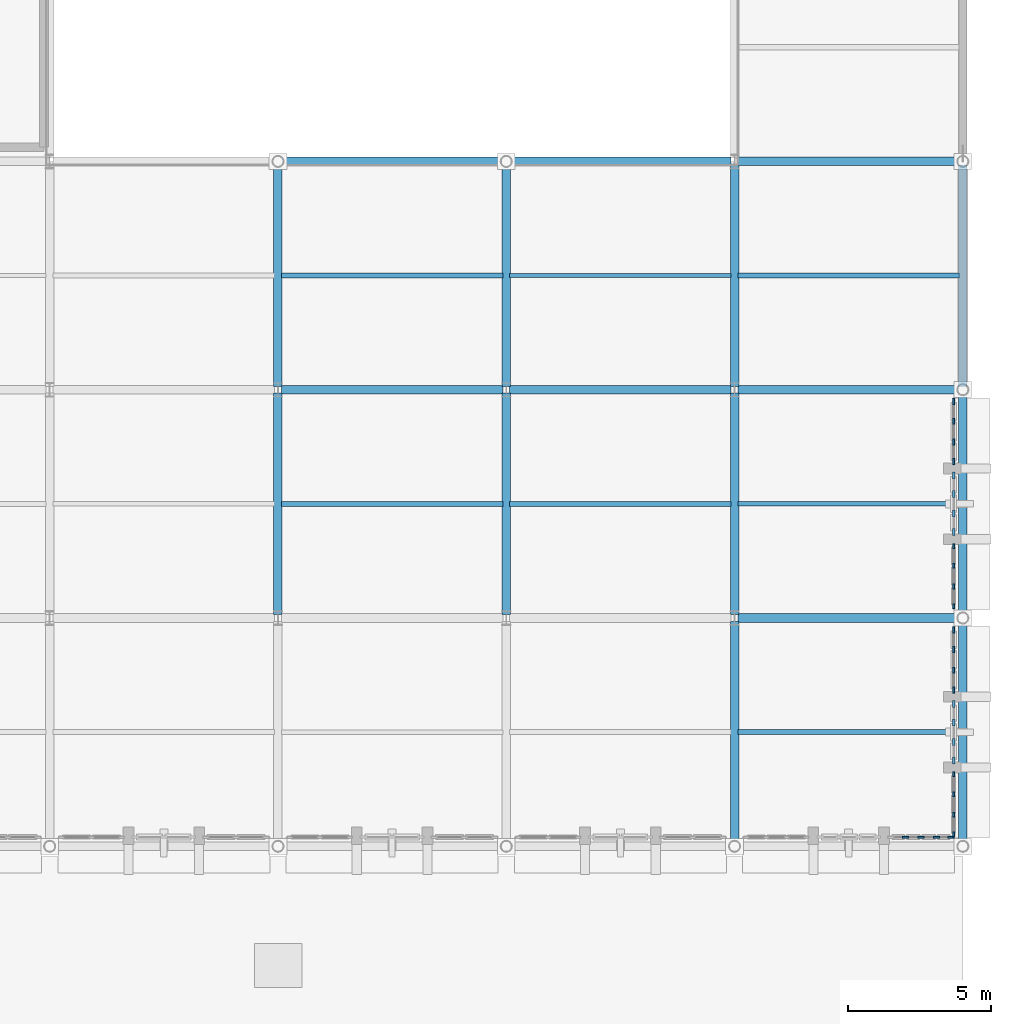
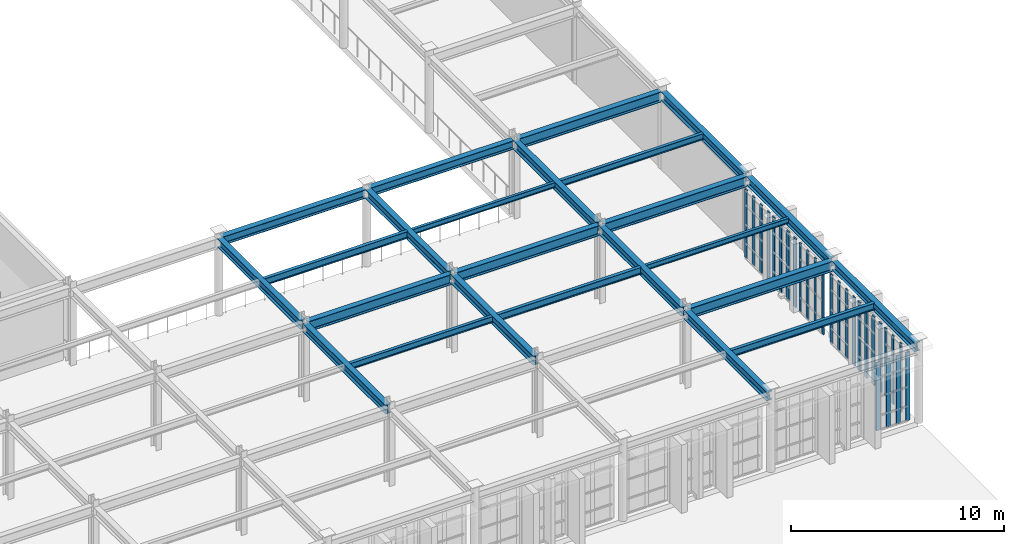
# One storey, part 38 of 155: 28 members, 24 beams, 7 elements without a shape of their own.
"""IFC4 building model written with IfcOpenShell, lengths in metres."""

from ifc_helpers import new_model, si_unit, direction, frame, origin, origin_2d, place, context, subcontext, project, spatial, rectangle, i_section, extrude, material, layer, layer_set, material_profile, profile_set, type_object, element, aggregate, save


model = new_model("IFC4")

# Units and contexts
model_context = context("Model", 3, precision=1e-05, world=origin(), true_north=direction((0.0, 1.0)))
body_context = subcontext(model_context, "Body", "Model", "MODEL_VIEW")
ifc_project = project(units=[si_unit("LENGTHUNIT", "METRE"), si_unit("AREAUNIT", "SQUARE_METRE"), si_unit("VOLUMEUNIT", "CUBIC_METRE"), si_unit("PLANEANGLEUNIT", "RADIAN"), si_unit("MASSUNIT", "GRAM", prefix="KILO")], contexts=[model_context])

# Site, building, storey
site_placement = place(None, origin())
site = spatial("IfcSite", under=ifc_project, at=site_placement, CompositionType="ELEMENT")
building_placement = place(site_placement, origin())
building = spatial("IfcBuilding", under=site, at=building_placement, Name="Tazarka Park Arena", CompositionType="ELEMENT")
storey_placement = place(building_placement, frame((0.0, 0.0, 5.39990234375)))
storey = spatial("IfcBuildingStorey", under=building, at=storey_placement, Name="L01", CompositionType="ELEMENT", Elevation=5.39990234375)

# Beams
ifc_material_1 = material(Name="Steel S355", Category="steel")
ifc_material_profile_1 = material_profile(ifc_material_1, i_section(OverallWidth=0.300048828125, OverallDepth=0.590087890625, WebThickness=0.012939453125, FlangeThickness=0.02490234375, FilletRadius=0.027099609375, at=origin_2d()), Name="Steel S355")
ifc_profile_set_1 = profile_set([ifc_material_profile_1], Name="Steel S355")
beam_type_1 = type_object("IfcBeamType", Name="BM-B-07", PredefinedType="BEAM", material=ifc_profile_set_1)
for number, where, z_axis, x_axis, name in (
    (1, (160.1201171875, 56.0, 4.125), (1.0, 0.0, 0.0), (0.0, 1.0, 0.0), "GXM-L01-20-07"),
    (2, (168.1201171875, 56.0, 4.125), (1.0, 0.0, 0.0), (0.0, 1.0, 0.0), "GXM-L01-21-07"),
    (3, (176.1201171875, 48.0, 4.125), (1.0, 0.0, 0.0), (0.0, 1.0, 0.0), "GXM-L01-22-06"),
    (4, (176.1201171875, 56.0, 4.125), (1.0, 0.0, 0.0), (0.0, 1.0, 0.0), "GXM-L01-22-07"),
    (5, (176.1201171875, 64.0, 4.125), (1.0, 0.0, 0.0), (0.0, 1.0, 0.0), "GXM-L01-22-08"),
):
    element("IfcBeam", number, at=place(storey_placement, frame(where, z_axis=z_axis, x_axis=x_axis)), inside=storey, type_object=beam_type_1, Name=name, PredefinedType="BEAM", context=body_context, shape_type="SweptSolid", body=[
        extrude(i_section(OverallWidth=0.300048828125, OverallDepth=0.590087890625, WebThickness=0.012939453125, FlangeThickness=0.02490234375, FilletRadius=0.027099609375, at=origin_2d()), origin(), (0.0, 0.0, 1.0), 7.759765625),
    ])
ifc_material_2 = material(Name="Steel S355", Category="steel")
ifc_material_profile_2 = material_profile(ifc_material_2, i_section(OverallWidth=0.300048828125, OverallDepth=0.5, WebThickness=0.014404296875, FlangeThickness=0.028076171875, FilletRadius=0.027099609375, at=origin_2d()), Name="Steel S355")
ifc_profile_set_2 = profile_set([ifc_material_profile_2], Name="Steel S355")
beam_type_2 = type_object("IfcBeamType", Name="BM-B-08", PredefinedType="BEAM", material=ifc_profile_set_2)
for number, where, z_axis, x_axis, name in (
    (6, (160.0, 48.1201171875, 4.170166015625), (0.0, 1.0, 0.0), (-1.0, 0.0, 0.0), "GYM-L01-20-06"),
    (7, (160.0, 56.1201171875, 4.170166015625), (0.0, 1.0, 0.0), (-1.0, 0.0, 0.0), "GYM-L01-20-07"),
    (8, (168.0, 48.1201171875, 4.170166015625), (0.0, 1.0, 0.0), (-1.0, 0.0, 0.0), "GYM-L01-21-06"),
    (9, (168.0, 56.1201171875, 4.170166015625), (0.0, 1.0, 0.0), (-1.0, 0.0, 0.0), "GYM-L01-21-07"),
    (10, (176.0, 40.1201171875, 4.170166015625), (0.0, 1.0, 0.0), (-1.0, 0.0, 0.0), "GYM-L01-22-05"),
    (11, (176.0, 48.1201171875, 4.170166015625), (0.0, 1.0, 0.0), (-1.0, 0.0, 0.0), "GYM-L01-22-06"),
    (12, (176.0, 56.1201171875, 4.170166015625), (0.0, 1.0, 0.0), (-1.0, 0.0, 0.0), "GYM-L01-22-07"),
):
    element("IfcBeam", number, at=place(storey_placement, frame(where, z_axis=z_axis, x_axis=x_axis)), inside=storey, type_object=beam_type_2, Name=name, PredefinedType="BEAM", context=body_context, shape_type="SweptSolid", body=[
        extrude(i_section(OverallWidth=0.300048828125, OverallDepth=0.5, WebThickness=0.014404296875, FlangeThickness=0.028076171875, FilletRadius=0.027099609375, at=origin_2d()), origin(), (0.0, 0.0, 1.0), 7.759765625),
    ])
ifc_material_3 = material(Name="Steel S355", Category="steel")
ifc_material_profile_3 = material_profile(ifc_material_3, i_section(OverallWidth=0.14990234375, OverallDepth=0.300048828125, WebThickness=0.007080078125, FlangeThickness=0.0107421875, FilletRadius=0.014892578125, at=origin_2d()), Name="Steel S355")
ifc_profile_set_3 = profile_set([ifc_material_profile_3], Name="Steel S355")
beam_type_3 = type_object("IfcBeamType", Name="BM-J-01", PredefinedType="JOIST", material=ifc_profile_set_3)
for number, where, z_axis, x_axis, name in (
    (13, (168.1201171875, 60.0, 4.27001953125), (1.0, 0.0, 0.0), (0.0, 1.0, 0.0), "JST-L01-21-07"),
    (14, (176.1201171875, 52.0, 4.27001953125), (1.0, 0.0, 0.0), (0.0, 1.0, 0.0), "JST-L01-22-06"),
):
    element("IfcBeam", number, at=place(storey_placement, frame(where, z_axis=z_axis, x_axis=x_axis)), inside=storey, type_object=beam_type_3, Name=name, PredefinedType="JOIST", context=body_context, shape_type="SweptSolid", body=[
        extrude(i_section(OverallWidth=0.14990234375, OverallDepth=0.300048828125, WebThickness=0.007080078125, FlangeThickness=0.0107421875, FilletRadius=0.014892578125, at=origin_2d()), origin(), (0.0, 0.0, 1.0), 7.759765625),
    ])
ifc_material_4 = material(Name="Steel S355", Category="steel")
ifc_material_profile_4 = material_profile(ifc_material_4, i_section(OverallWidth=0.169921875, OverallDepth=0.360107421875, WebThickness=0.008056640625, FlangeThickness=0.0126953125, FilletRadius=0.01806640625, at=origin_2d()), Name="Steel S355")
ifc_profile_set_4 = profile_set([ifc_material_profile_4], Name="Steel S355")
beam_type_4 = type_object("IfcBeamType", Name="BM-J-02", PredefinedType="JOIST", material=ifc_profile_set_4)
for number, where, z_axis, x_axis, name in (
    (15, (160.1201171875, 52.0, 4.239990234375), (1.0, 0.0, 0.0), (0.0, 1.0, 0.0), "JST-L01-20-06"),
    (16, (176.1201171875, 60.0, 4.239990234375), (1.0, 0.0, 0.0), (0.0, 1.0, 0.0), "JST-L01-22-07"),
):
    element("IfcBeam", number, at=place(storey_placement, frame(where, z_axis=z_axis, x_axis=x_axis)), inside=storey, type_object=beam_type_4, Name=name, PredefinedType="JOIST", context=body_context, shape_type="SweptSolid", body=[
        extrude(i_section(OverallWidth=0.169921875, OverallDepth=0.360107421875, WebThickness=0.008056640625, FlangeThickness=0.0126953125, FilletRadius=0.01806640625, at=origin_2d()), origin(), (0.0, 0.0, 1.0), 7.759765625),
    ])
ifc_material_5 = material(Name="Steel S355", Category="steel")
ifc_material_profile_5 = material_profile(ifc_material_5, i_section(OverallWidth=0.179931640625, OverallDepth=0.39990234375, WebThickness=0.008544921875, FlangeThickness=0.013427734375, FilletRadius=0.02099609375, at=origin_2d()), Name="Steel S355")
ifc_profile_set_5 = profile_set([ifc_material_profile_5], Name="Steel S355")
beam_type_5 = type_object("IfcBeamType", Name="BM-J-03", PredefinedType="JOIST", material=ifc_profile_set_5)
for number, where, z_axis, x_axis, name in (
    (17, (160.1201171875, 60.0, 4.22021484375), (1.0, 0.0, 0.0), (0.0, 1.0, 0.0), "JST-L01-20-07"),
    (18, (168.1201171875, 52.0, 4.22021484375), (1.0, 0.0, 0.0), (0.0, 1.0, 0.0), "JST-L01-21-06"),
    (19, (176.1201171875, 44.0, 4.22021484375), (1.0, 0.0, 0.0), (0.0, 1.0, 0.0), "JST-L01-22-05"),
):
    element("IfcBeam", number, at=place(storey_placement, frame(where, z_axis=z_axis, x_axis=x_axis)), inside=storey, type_object=beam_type_5, Name=name, PredefinedType="JOIST", context=body_context, shape_type="SweptSolid", body=[
        extrude(i_section(OverallWidth=0.179931640625, OverallDepth=0.39990234375, WebThickness=0.008544921875, FlangeThickness=0.013427734375, FilletRadius=0.02099609375, at=origin_2d()), origin(), (0.0, 0.0, 1.0), 7.759765625),
    ])
ifc_material_6 = material(Name="Steel S355", Category="steel")
ifc_material_profile_6 = material_profile(ifc_material_6, i_section(OverallWidth=0.300048828125, OverallDepth=0.489990234375, WebThickness=0.011962890625, FlangeThickness=0.02294921875, FilletRadius=0.027099609375, at=origin_2d()), Name="Steel S355")
ifc_profile_set_6 = profile_set([ifc_material_profile_6], Name="Steel S355")
beam_type_6 = type_object("IfcBeamType", Name="BM-SP-02", PredefinedType="SPANDREL", material=ifc_profile_set_6)
for number, where, z_axis, x_axis, name in (
    (20, (160.1201171875, 64.0, 4.175048828125), (1.0, 0.0, 0.0), (0.0, 1.0, 0.0), "GXM-L01-20-08"),
    (21, (168.1201171875, 64.0, 4.175048828125), (1.0, 0.0, 0.0), (0.0, 1.0, 0.0), "GXM-L01-21-08"),
    (22, (184.0, 40.1201171875, 4.175048828125), (0.0, 1.0, 0.0), (-1.0, 0.0, 0.0), "GYM-L01-23-05"),
    (23, (184.0, 48.1201171875, 4.175048828125), (0.0, 1.0, 0.0), (-1.0, 0.0, 0.0), "GYM-L01-23-06"),
    (24, (184.0, 56.1201171875, 4.175048828125), (0.0, 1.0, 0.0), (-1.0, 0.0, 0.0), "GYM-L01-23-07"),
):
    element("IfcBeam", number, at=place(storey_placement, frame(where, z_axis=z_axis, x_axis=x_axis)), inside=storey, type_object=beam_type_6, Name=name, PredefinedType="SPANDREL", context=body_context, shape_type="SweptSolid", body=[
        extrude(i_section(OverallWidth=0.300048828125, OverallDepth=0.489990234375, WebThickness=0.011962890625, FlangeThickness=0.02294921875, FilletRadius=0.027099609375, at=origin_2d()), origin(), (0.0, 0.0, 1.0), 7.759765625),
    ])

# Curtain wall, members
ifc_material_7 = material(Name="Aluminium and low-e glass", Category="aluminium")
ifc_layer_1 = layer(ifc_material_7, 0.179931640625, Name="Aluminium and low-e glass")
ifc_layer_set_1 = layer_set([ifc_layer_1], Name="Aluminium and low-e glass")
curtain_wall_type_1 = type_object("IfcCurtainWallType", Name="CW-06", PredefinedType="NOTDEFINED", material=ifc_layer_set_1)
curtain_wall_1_placement = place(storey_placement, origin())
curtain_wall_1 = element("IfcCurtainWall", 25, at=curtain_wall_1_placement, inside=storey, type_object=curtain_wall_type_1, Name="Curtain Wall CWA-L01-186", PredefinedType="NOTDEFINED")
ifc_material_8 = material(Name="Aluminium 6060-T66", Category="aluminium")
ifc_material_profile_7 = material_profile(ifc_material_8, rectangle(XDim=0.06494140625, YDim=0.179931640625, at=origin_2d()), Name="Aluminium 6060-T66")
ifc_profile_set_7 = profile_set([ifc_material_profile_7], Name="Aluminium 6060-T66")
member_type_1 = type_object("IfcMemberType", Name="CWM-01", PredefinedType="MULLION", material=ifc_profile_set_7)
member_1_placement = place(storey_placement, frame((183.679931640625, 42.5185546875, 0.0), z_axis=(0.0, 0.0, 1.0), x_axis=(1.0, 0.0, 0.0)))
member_1 = element("IfcMember", 26, at=member_1_placement, type_object=member_type_1, Name="CW-06 mullion 1", PredefinedType="MULLION", context=body_context, shape_type="SweptSolid", body=[
    extrude(rectangle(XDim=0.06494140625, YDim=0.179931640625, at=origin_2d()), origin(), (0.0, 0.0, 1.0), 3.91015625),
])
member_2_placement = place(storey_placement, frame((183.679931640625, 41.828369140625, 0.0), z_axis=(0.0, 0.0, 1.0), x_axis=(1.0, 0.0, 0.0)))
member_2 = element("IfcMember", 27, at=member_2_placement, type_object=member_type_1, Name="CW-06 mullion 2", PredefinedType="MULLION", context=body_context, shape_type="SweptSolid", body=[
    extrude(rectangle(XDim=0.06494140625, YDim=0.179931640625, at=origin_2d()), origin(), (0.0, 0.0, 1.0), 3.91015625),
])
member_3_placement = place(storey_placement, frame((183.679931640625, 41.105712890625, 0.0), z_axis=(0.0, 0.0, 1.0), x_axis=(1.0, 0.0, 0.0)))
member_3 = element("IfcMember", 28, at=member_3_placement, type_object=member_type_1, Name="CW-06 mullion 3", PredefinedType="MULLION", context=body_context, shape_type="SweptSolid", body=[
    extrude(rectangle(XDim=0.06494140625, YDim=0.179931640625, at=origin_2d()), origin(), (0.0, 0.0, 1.0), 3.91015625),
])
member_4_placement = place(storey_placement, frame((183.679931640625, 40.415771484375, 0.0), z_axis=(0.0, 0.0, 1.0), x_axis=(1.0, 0.0, 0.0)))
member_4 = element("IfcMember", 29, at=member_4_placement, type_object=member_type_1, Name="CW-06 mullion 4", PredefinedType="MULLION", context=body_context, shape_type="SweptSolid", body=[
    extrude(rectangle(XDim=0.06494140625, YDim=0.179931640625, at=origin_2d()), origin(), (0.0, 0.0, 1.0), 3.91015625),
])
aggregate(curtain_wall_1, [member_1, member_2, member_3, member_4])

ifc_material_9 = material(Name="Aluminium and low-e glass", Category="aluminium")
ifc_layer_2 = layer(ifc_material_9, 0.179931640625, Name="Aluminium and low-e glass")
ifc_layer_set_2 = layer_set([ifc_layer_2], Name="Aluminium and low-e glass")
curtain_wall_type_2 = type_object("IfcCurtainWallType", Name="CW-09", PredefinedType="NOTDEFINED", material=ifc_layer_set_2)
curtain_wall_2_placement = place(storey_placement, origin())
curtain_wall_2 = element("IfcCurtainWall", 30, at=curtain_wall_2_placement, inside=storey, type_object=curtain_wall_type_2, Name="Curtain Wall CWA-L01-189", PredefinedType="NOTDEFINED")
member_5_placement = place(storey_placement, frame((183.679931640625, 50.5185546875, 0.0), z_axis=(0.0, 0.0, 1.0), x_axis=(1.0, 0.0, 0.0)))
member_5 = element("IfcMember", 31, at=member_5_placement, type_object=member_type_1, Name="CW-09 mullion 1", PredefinedType="MULLION", context=body_context, shape_type="SweptSolid", body=[
    extrude(rectangle(XDim=0.06494140625, YDim=0.179931640625, at=origin_2d()), origin(), (0.0, 0.0, 1.0), 3.91015625),
])
member_6_placement = place(storey_placement, frame((183.679931640625, 49.828369140625, 0.0), z_axis=(0.0, 0.0, 1.0), x_axis=(1.0, 0.0, 0.0)))
member_6 = element("IfcMember", 32, at=member_6_placement, type_object=member_type_1, Name="CW-09 mullion 2", PredefinedType="MULLION", context=body_context, shape_type="SweptSolid", body=[
    extrude(rectangle(XDim=0.06494140625, YDim=0.179931640625, at=origin_2d()), origin(), (0.0, 0.0, 1.0), 3.91015625),
])
member_7_placement = place(storey_placement, frame((183.679931640625, 49.105712890625, 0.0), z_axis=(0.0, 0.0, 1.0), x_axis=(1.0, 0.0, 0.0)))
member_7 = element("IfcMember", 33, at=member_7_placement, type_object=member_type_1, Name="CW-09 mullion 3", PredefinedType="MULLION", context=body_context, shape_type="SweptSolid", body=[
    extrude(rectangle(XDim=0.06494140625, YDim=0.179931640625, at=origin_2d()), origin(), (0.0, 0.0, 1.0), 3.91015625),
])
member_8_placement = place(storey_placement, frame((183.679931640625, 48.415771484375, 0.0), z_axis=(0.0, 0.0, 1.0), x_axis=(1.0, 0.0, 0.0)))
member_8 = element("IfcMember", 34, at=member_8_placement, type_object=member_type_1, Name="CW-09 mullion 4", PredefinedType="MULLION", context=body_context, shape_type="SweptSolid", body=[
    extrude(rectangle(XDim=0.06494140625, YDim=0.179931640625, at=origin_2d()), origin(), (0.0, 0.0, 1.0), 3.91015625),
])
aggregate(curtain_wall_2, [member_5, member_6, member_7, member_8])

ifc_material_10 = material(Name="Aluminium and low-e glass", Category="aluminium")
ifc_layer_3 = layer(ifc_material_10, 0.179931640625, Name="Aluminium and low-e glass")
ifc_layer_set_3 = layer_set([ifc_layer_3], Name="Aluminium and low-e glass")
curtain_wall_type_3 = type_object("IfcCurtainWallType", Name="CW-01", PredefinedType="NOTDEFINED", material=ifc_layer_set_3)
curtain_wall_3_placement = place(storey_placement, origin())
curtain_wall_3 = element("IfcCurtainWall", 35, at=curtain_wall_3_placement, inside=storey, type_object=curtain_wall_type_3, Name="Curtain Wall CWA-L01-181", PredefinedType="NOTDEFINED")
ifc_material_11 = material(Name="Aluminium 6060-T66", Category="aluminium")
ifc_material_profile_8 = material_profile(ifc_material_11, rectangle(XDim=0.06494140625, YDim=0.219970703125, at=origin_2d()), Name="Aluminium 6060-T66")
ifc_profile_set_8 = profile_set([ifc_material_profile_8], Name="Aluminium 6060-T66")
member_type_2 = type_object("IfcMemberType", Name="CWM-02", PredefinedType="MULLION", material=ifc_profile_set_8)
member_9_placement = place(storey_placement, frame((183.584228515625, 40.320068359375, 0.0), z_axis=(0.0, 0.0, 1.0), x_axis=(0.0, -1.0, 0.0)))
member_9 = element("IfcMember", 36, at=member_9_placement, type_object=member_type_2, Name="CW-01 mullion 1", PredefinedType="MULLION", context=body_context, shape_type="SweptSolid", body=[
    extrude(rectangle(XDim=0.06494140625, YDim=0.219970703125, at=origin_2d()), origin(), (0.0, 0.0, 1.0), 3.91015625),
])
member_10_placement = place(storey_placement, frame((183.07470703125, 40.320068359375, 0.0), z_axis=(0.0, 0.0, 1.0), x_axis=(0.0, -1.0, 0.0)))
member_10 = element("IfcMember", 37, at=member_10_placement, type_object=member_type_2, Name="CW-01 mullion 2", PredefinedType="MULLION", context=body_context, shape_type="SweptSolid", body=[
    extrude(rectangle(XDim=0.06494140625, YDim=0.219970703125, at=origin_2d()), origin(), (0.0, 0.0, 1.0), 3.91015625),
])
member_11_placement = place(storey_placement, frame((182.532958984375, 40.320068359375, 0.0), z_axis=(0.0, 0.0, 1.0), x_axis=(0.0, -1.0, 0.0)))
member_11 = element("IfcMember", 38, at=member_11_placement, type_object=member_type_2, Name="CW-01 mullion 3", PredefinedType="MULLION", context=body_context, shape_type="SweptSolid", body=[
    extrude(rectangle(XDim=0.06494140625, YDim=0.219970703125, at=origin_2d()), origin(), (0.0, 0.0, 1.0), 3.91015625),
])
member_12_placement = place(storey_placement, frame((181.990966796875, 40.320068359375, 0.0), z_axis=(0.0, 0.0, 1.0), x_axis=(0.0, -1.0, 0.0)))
member_12 = element("IfcMember", 39, at=member_12_placement, type_object=member_type_2, Name="CW-01 mullion 4", PredefinedType="MULLION", context=body_context, shape_type="SweptSolid", body=[
    extrude(rectangle(XDim=0.06494140625, YDim=0.219970703125, at=origin_2d()), origin(), (0.0, 0.0, 1.0), 3.91015625),
])
aggregate(curtain_wall_3, [member_9, member_10, member_11, member_12])

ifc_material_12 = material(Name="Aluminium and low-e glass", Category="aluminium")
ifc_layer_4 = layer(ifc_material_12, 0.179931640625, Name="Aluminium and low-e glass")
ifc_layer_set_4 = layer_set([ifc_layer_4], Name="Aluminium and low-e glass")
curtain_wall_type_4 = type_object("IfcCurtainWallType", Name="CW-04", PredefinedType="NOTDEFINED", material=ifc_layer_set_4)
curtain_wall_4_placement = place(storey_placement, origin())
curtain_wall_4 = element("IfcCurtainWall", 40, at=curtain_wall_4_placement, inside=storey, type_object=curtain_wall_type_4, Name="Curtain Wall CWA-L01-184", PredefinedType="NOTDEFINED")
member_13_placement = place(storey_placement, frame((183.679931640625, 47.584228515625, 0.0), z_axis=(0.0, 0.0, 1.0), x_axis=(1.0, 0.0, 0.0)))
member_13 = element("IfcMember", 41, at=member_13_placement, type_object=member_type_2, Name="CW-04 mullion 1", PredefinedType="MULLION", context=body_context, shape_type="SweptSolid", body=[
    extrude(rectangle(XDim=0.06494140625, YDim=0.219970703125, at=origin_2d()), origin(), (0.0, 0.0, 1.0), 3.91015625),
])
member_14_placement = place(storey_placement, frame((183.679931640625, 46.894287109375, 0.0), z_axis=(0.0, 0.0, 1.0), x_axis=(1.0, 0.0, 0.0)))
member_14 = element("IfcMember", 42, at=member_14_placement, type_object=member_type_2, Name="CW-04 mullion 2", PredefinedType="MULLION", context=body_context, shape_type="SweptSolid", body=[
    extrude(rectangle(XDim=0.06494140625, YDim=0.219970703125, at=origin_2d()), origin(), (0.0, 0.0, 1.0), 3.91015625),
])
member_15_placement = place(storey_placement, frame((183.679931640625, 46.171630859375, 0.0), z_axis=(0.0, 0.0, 1.0), x_axis=(1.0, 0.0, 0.0)))
member_15 = element("IfcMember", 43, at=member_15_placement, type_object=member_type_2, Name="CW-04 mullion 3", PredefinedType="MULLION", context=body_context, shape_type="SweptSolid", body=[
    extrude(rectangle(XDim=0.06494140625, YDim=0.219970703125, at=origin_2d()), origin(), (0.0, 0.0, 1.0), 3.91015625),
])
member_16_placement = place(storey_placement, frame((183.679931640625, 45.4814453125, 0.0), z_axis=(0.0, 0.0, 1.0), x_axis=(1.0, 0.0, 0.0)))
member_16 = element("IfcMember", 44, at=member_16_placement, type_object=member_type_2, Name="CW-04 mullion 4", PredefinedType="MULLION", context=body_context, shape_type="SweptSolid", body=[
    extrude(rectangle(XDim=0.06494140625, YDim=0.219970703125, at=origin_2d()), origin(), (0.0, 0.0, 1.0), 3.91015625),
])
aggregate(curtain_wall_4, [member_13, member_14, member_15, member_16])

ifc_material_13 = material(Name="Aluminium and low-e glass", Category="aluminium")
ifc_layer_5 = layer(ifc_material_13, 0.179931640625, Name="Aluminium and low-e glass")
ifc_layer_set_5 = layer_set([ifc_layer_5], Name="Aluminium and low-e glass")
curtain_wall_type_5 = type_object("IfcCurtainWallType", Name="CW-07", PredefinedType="NOTDEFINED", material=ifc_layer_set_5)
curtain_wall_5_placement = place(storey_placement, origin())
curtain_wall_5 = element("IfcCurtainWall", 45, at=curtain_wall_5_placement, inside=storey, type_object=curtain_wall_type_5, Name="Curtain Wall CWA-L01-187", PredefinedType="NOTDEFINED")
member_17_placement = place(storey_placement, frame((183.679931640625, 55.584228515625, 0.0), z_axis=(0.0, 0.0, 1.0), x_axis=(1.0, 0.0, 0.0)))
member_17 = element("IfcMember", 46, at=member_17_placement, type_object=member_type_2, Name="CW-07 mullion 1", PredefinedType="MULLION", context=body_context, shape_type="SweptSolid", body=[
    extrude(rectangle(XDim=0.06494140625, YDim=0.219970703125, at=origin_2d()), origin(), (0.0, 0.0, 1.0), 3.91015625),
])
member_18_placement = place(storey_placement, frame((183.679931640625, 54.894287109375, 0.0), z_axis=(0.0, 0.0, 1.0), x_axis=(1.0, 0.0, 0.0)))
member_18 = element("IfcMember", 47, at=member_18_placement, type_object=member_type_2, Name="CW-07 mullion 2", PredefinedType="MULLION", context=body_context, shape_type="SweptSolid", body=[
    extrude(rectangle(XDim=0.06494140625, YDim=0.219970703125, at=origin_2d()), origin(), (0.0, 0.0, 1.0), 3.91015625),
])
member_19_placement = place(storey_placement, frame((183.679931640625, 54.171630859375, 0.0), z_axis=(0.0, 0.0, 1.0), x_axis=(1.0, 0.0, 0.0)))
member_19 = element("IfcMember", 48, at=member_19_placement, type_object=member_type_2, Name="CW-07 mullion 3", PredefinedType="MULLION", context=body_context, shape_type="SweptSolid", body=[
    extrude(rectangle(XDim=0.06494140625, YDim=0.219970703125, at=origin_2d()), origin(), (0.0, 0.0, 1.0), 3.91015625),
])
member_20_placement = place(storey_placement, frame((183.679931640625, 53.4814453125, 0.0), z_axis=(0.0, 0.0, 1.0), x_axis=(1.0, 0.0, 0.0)))
member_20 = element("IfcMember", 49, at=member_20_placement, type_object=member_type_2, Name="CW-07 mullion 4", PredefinedType="MULLION", context=body_context, shape_type="SweptSolid", body=[
    extrude(rectangle(XDim=0.06494140625, YDim=0.219970703125, at=origin_2d()), origin(), (0.0, 0.0, 1.0), 3.91015625),
])
aggregate(curtain_wall_5, [member_17, member_18, member_19, member_20])

ifc_material_14 = material(Name="Aluminium and low-e glass", Category="aluminium")
ifc_layer_6 = layer(ifc_material_14, 0.179931640625, Name="Aluminium and low-e glass")
ifc_layer_set_6 = layer_set([ifc_layer_6], Name="Aluminium and low-e glass")
curtain_wall_type_6 = type_object("IfcCurtainWallType", Name="CW-05", PredefinedType="NOTDEFINED", material=ifc_layer_set_6)
curtain_wall_6_placement = place(storey_placement, origin())
curtain_wall_6 = element("IfcCurtainWall", 50, at=curtain_wall_6_placement, inside=storey, type_object=curtain_wall_type_6, Name="Curtain Wall CWA-L01-185", PredefinedType="NOTDEFINED")
ifc_material_15 = material(Name="Aluminium 6060-T66", Category="aluminium")
ifc_material_profile_9 = material_profile(ifc_material_15, rectangle(XDim=0.074951171875, YDim=0.25, at=origin_2d()), Name="Aluminium 6060-T66")
ifc_profile_set_9 = profile_set([ifc_material_profile_9], Name="Aluminium 6060-T66")
member_type_3 = type_object("IfcMemberType", Name="CWM-03", PredefinedType="MULLION", material=ifc_profile_set_9)
member_21_placement = place(storey_placement, frame((183.679931640625, 44.991455078125, 0.0), z_axis=(0.0, 0.0, 1.0), x_axis=(1.0, 0.0, 0.0)))
member_21 = element("IfcMember", 51, at=member_21_placement, type_object=member_type_3, Name="CW-05 mullion 1", PredefinedType="MULLION", context=body_context, shape_type="SweptSolid", body=[
    extrude(rectangle(XDim=0.074951171875, YDim=0.25, at=origin_2d()), origin(), (0.0, 0.0, 1.0), 3.91015625),
])
member_22_placement = place(storey_placement, frame((183.679931640625, 44.343017578125, 0.0), z_axis=(0.0, 0.0, 1.0), x_axis=(1.0, 0.0, 0.0)))
member_22 = element("IfcMember", 52, at=member_22_placement, type_object=member_type_3, Name="CW-05 mullion 2", PredefinedType="MULLION", context=body_context, shape_type="SweptSolid", body=[
    extrude(rectangle(XDim=0.074951171875, YDim=0.25, at=origin_2d()), origin(), (0.0, 0.0, 1.0), 3.91015625),
])
member_23_placement = place(storey_placement, frame((183.679931640625, 43.656982421875, 0.0), z_axis=(0.0, 0.0, 1.0), x_axis=(1.0, 0.0, 0.0)))
member_23 = element("IfcMember", 53, at=member_23_placement, type_object=member_type_3, Name="CW-05 mullion 3", PredefinedType="MULLION", context=body_context, shape_type="SweptSolid", body=[
    extrude(rectangle(XDim=0.074951171875, YDim=0.25, at=origin_2d()), origin(), (0.0, 0.0, 1.0), 3.91015625),
])
member_24_placement = place(storey_placement, frame((183.679931640625, 43.008544921875, 0.0), z_axis=(0.0, 0.0, 1.0), x_axis=(1.0, 0.0, 0.0)))
member_24 = element("IfcMember", 54, at=member_24_placement, type_object=member_type_3, Name="CW-05 mullion 4", PredefinedType="MULLION", context=body_context, shape_type="SweptSolid", body=[
    extrude(rectangle(XDim=0.074951171875, YDim=0.25, at=origin_2d()), origin(), (0.0, 0.0, 1.0), 3.91015625),
])
aggregate(curtain_wall_6, [member_21, member_22, member_23, member_24])

ifc_material_16 = material(Name="Aluminium and low-e glass", Category="aluminium")
ifc_layer_7 = layer(ifc_material_16, 0.179931640625, Name="Aluminium and low-e glass")
ifc_layer_set_7 = layer_set([ifc_layer_7], Name="Aluminium and low-e glass")
curtain_wall_type_7 = type_object("IfcCurtainWallType", Name="CW-08", PredefinedType="NOTDEFINED", material=ifc_layer_set_7)
curtain_wall_7_placement = place(storey_placement, origin())
curtain_wall_7 = element("IfcCurtainWall", 55, at=curtain_wall_7_placement, inside=storey, type_object=curtain_wall_type_7, Name="Curtain Wall CWA-L01-188", PredefinedType="NOTDEFINED")
member_25_placement = place(storey_placement, frame((183.679931640625, 52.991455078125, 0.0), z_axis=(0.0, 0.0, 1.0), x_axis=(1.0, 0.0, 0.0)))
member_25 = element("IfcMember", 56, at=member_25_placement, type_object=member_type_3, Name="CW-08 mullion 1", PredefinedType="MULLION", context=body_context, shape_type="SweptSolid", body=[
    extrude(rectangle(XDim=0.074951171875, YDim=0.25, at=origin_2d()), origin(), (0.0, 0.0, 1.0), 3.91015625),
])
member_26_placement = place(storey_placement, frame((183.679931640625, 52.343017578125, 0.0), z_axis=(0.0, 0.0, 1.0), x_axis=(1.0, 0.0, 0.0)))
member_26 = element("IfcMember", 57, at=member_26_placement, type_object=member_type_3, Name="CW-08 mullion 2", PredefinedType="MULLION", context=body_context, shape_type="SweptSolid", body=[
    extrude(rectangle(XDim=0.074951171875, YDim=0.25, at=origin_2d()), origin(), (0.0, 0.0, 1.0), 3.91015625),
])
member_27_placement = place(storey_placement, frame((183.679931640625, 51.656982421875, 0.0), z_axis=(0.0, 0.0, 1.0), x_axis=(1.0, 0.0, 0.0)))
member_27 = element("IfcMember", 58, at=member_27_placement, type_object=member_type_3, Name="CW-08 mullion 3", PredefinedType="MULLION", context=body_context, shape_type="SweptSolid", body=[
    extrude(rectangle(XDim=0.074951171875, YDim=0.25, at=origin_2d()), origin(), (0.0, 0.0, 1.0), 3.91015625),
])
member_28_placement = place(storey_placement, frame((183.679931640625, 51.008544921875, 0.0), z_axis=(0.0, 0.0, 1.0), x_axis=(1.0, 0.0, 0.0)))
member_28 = element("IfcMember", 59, at=member_28_placement, type_object=member_type_3, Name="CW-08 mullion 4", PredefinedType="MULLION", context=body_context, shape_type="SweptSolid", body=[
    extrude(rectangle(XDim=0.074951171875, YDim=0.25, at=origin_2d()), origin(), (0.0, 0.0, 1.0), 3.91015625),
])
aggregate(curtain_wall_7, [member_25, member_26, member_27, member_28])

save(model, "model.ifc")
